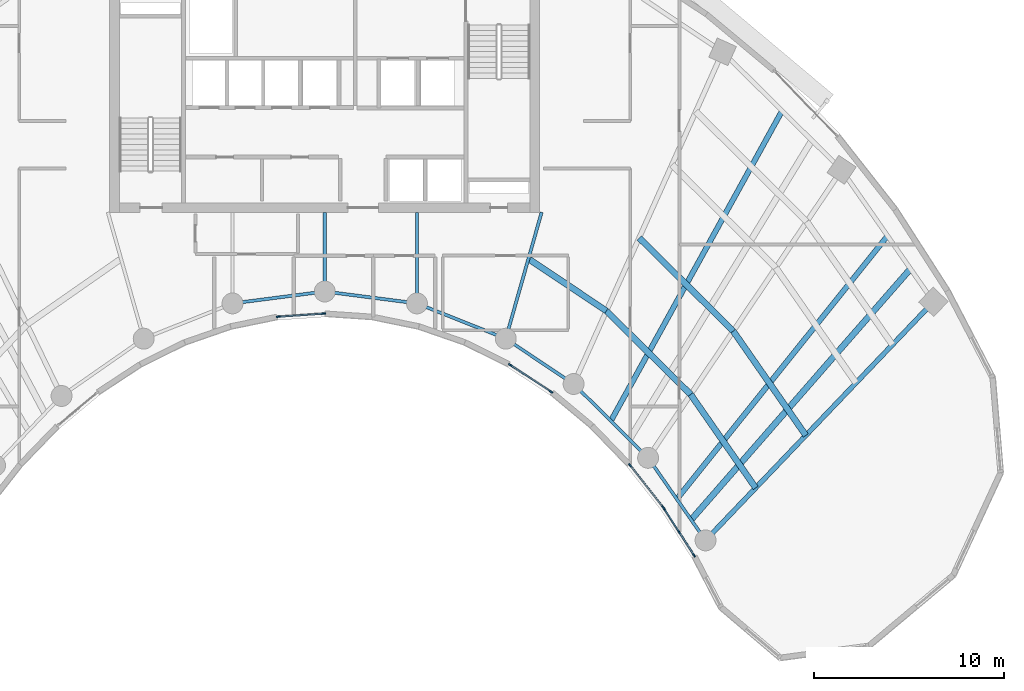
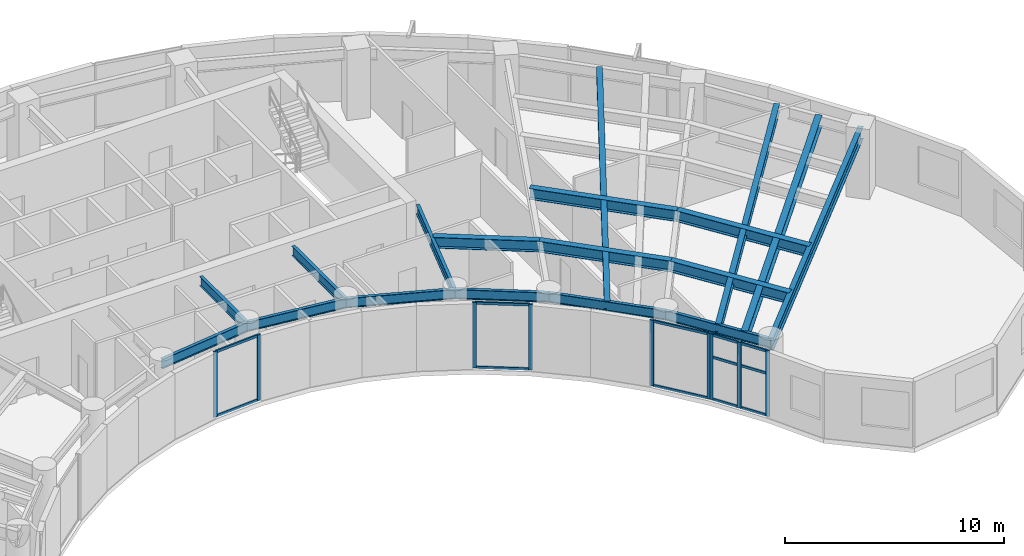
# One storey, part 3 of 12: 21 members, 18 beams, 4 elements without a shape of their own.
"""IFC4 building model written with IfcOpenShell, lengths in metres."""

from ifc_helpers import new_model, si_unit, direction, frame, origin, origin_2d, place, context, subcontext, project, spatial, rectangle, i_section, extrude, source, transform, mapped, material, layer, layer_set, material_profile, profile_set, type_object, type_shapes, element, aggregate, save


model = new_model("IFC4")

# Units and contexts
model_context = context("Model", 3, precision=1e-05, world=origin(), true_north=direction((0.0, 1.0)))
body_context = subcontext(model_context, "Body", "Model", "MODEL_VIEW")
ifc_project = project(units=[si_unit("LENGTHUNIT", "METRE"), si_unit("AREAUNIT", "SQUARE_METRE"), si_unit("VOLUMEUNIT", "CUBIC_METRE"), si_unit("PLANEANGLEUNIT", "RADIAN"), si_unit("MASSUNIT", "GRAM", prefix="KILO")], contexts=[model_context])

# Site, building, storey
site_placement = place(None, origin())
site = spatial("IfcSite", under=ifc_project, at=site_placement, CompositionType="ELEMENT")
building_placement = place(site_placement, origin())
building = spatial("IfcBuilding", under=site, at=building_placement, Name="Breltana Convention Tower", CompositionType="ELEMENT")
storey_placement = place(building_placement, frame((0.0, 0.0, 150.60009765625)))
storey = spatial("IfcBuildingStorey", under=building, at=storey_placement, Name="L36", CompositionType="ELEMENT", Elevation=150.60009765625)

# Beams
ifc_material_1 = material(Name="Steel ASTM A992 Grade 50", Category="steel")
ifc_material_profile_1 = material_profile(ifc_material_1, i_section(OverallWidth=0.25390625, OverallDepth=0.68798828125, WebThickness=0.01318359375, FlangeThickness=0.02099609375, at=origin_2d()), Name="W27X102")
ifc_profile_set_1 = profile_set([ifc_material_profile_1], Name="Steel ASTM A992 Grade 50")
beam_type_1 = type_object("IfcBeamType", Name="BM-RG-W27X102", PredefinedType="USERDEFINED", material=ifc_profile_set_1)
shared_shape_1 = source(origin(), body_context, "Body", "SweptSolid", [
    extrude(i_section(OverallWidth=0.25390625, OverallDepth=0.68798828125, WebThickness=0.01318359375, FlangeThickness=0.02099609375, at=origin_2d()), origin(), (0.0, 0.0, 1.0), 17.341064453125),
])
type_shapes(beam_type_1, [shared_shape_1])
beam_1_placement = place(storey_placement, frame((68.015380859375, 42.95458984375, 3.305908203125), z_axis=(0.690716462293, 0.723125693581, 0.0), x_axis=(-0.723125693581, 0.690716462293, 0.0)))
element("IfcBeam", 1, at=beam_1_placement, inside=storey, type_object=beam_type_1, Name="L36 Radial Floor Girder R11", ObjectType="GIRDER", PredefinedType="USERDEFINED", context=body_context, shape_type="MappedRepresentation", body=[
    mapped(shared_shape_1, transform((0.0, 0.0, 0.0), scale=1.0)),
])
ifc_material_profile_2 = material_profile(ifc_material_1, i_section(OverallWidth=0.166015625, OverallDepth=0.534912109375, WebThickness=0.01025390625, FlangeThickness=0.0166015625, at=origin_2d()), Name="W21X57")
ifc_profile_set_2 = profile_set([ifc_material_profile_2], Name="Steel ASTM A992 Grade 50")
beam_type_2 = type_object("IfcBeamType", Name="BM-BM-W21X57", PredefinedType="BEAM", material=ifc_profile_set_2)
shared_shape_2 = source(origin(), body_context, "Body", "SweptSolid", [
    extrude(i_section(OverallWidth=0.166015625, OverallDepth=0.534912109375, WebThickness=0.01025390625, FlangeThickness=0.0166015625, at=origin_2d()), origin(), (0.0, 0.0, 1.0), 6.904541015625),
])
type_shapes(beam_type_2, [shared_shape_2])
beam_2_placement = place(storey_placement, frame((59.39990234375, 60.199951171875, 3.38232421875), z_axis=(-0.273006781054, -0.962012108811, 0.0), x_axis=(0.962012108811, -0.273006781054, 0.0)))
element("IfcBeam", 2, at=beam_2_placement, inside=storey, type_object=beam_type_2, Name="L36 South Core Tie Girder R08", PredefinedType="BEAM", context=body_context, shape_type="MappedRepresentation", body=[
    mapped(shared_shape_2, transform((0.0, 0.0, 0.0), scale=1.0)),
])
shared_shape_3 = source(origin(), body_context, "Body", "SweptSolid", [
    extrude(i_section(OverallWidth=0.166015625, OverallDepth=0.534912109375, WebThickness=0.01025390625, FlangeThickness=0.0166015625, at=origin_2d()), origin(), (0.0, 0.0, 1.0), 4.789306640625),
])
beam_3_placement = place(storey_placement, frame((52.846435546875, 60.199951171875, 3.38232421875), z_axis=(0.0, -1.0, 0.0), x_axis=(1.0, 0.0, 0.0)))
element("IfcBeam", 3, at=beam_3_placement, inside=storey, type_object=beam_type_2, Name="L36 South Core Tie Girder R07", PredefinedType="BEAM", context=body_context, shape_type="MappedRepresentation", body=[
    mapped(shared_shape_3, transform((0.0, 0.0, 0.0), scale=1.0)),
])
shared_shape_4 = source(origin(), body_context, "Body", "SweptSolid", [
    extrude(i_section(OverallWidth=0.166015625, OverallDepth=0.534912109375, WebThickness=0.01025390625, FlangeThickness=0.0166015625, at=origin_2d()), origin(), (0.0, 0.0, 1.0), 4.1640625),
])
beam_4_placement = place(storey_placement, frame((48.0, 60.199951171875, 3.38232421875), z_axis=(0.0, -1.0, 0.0), x_axis=(1.0, 0.0, 0.0)))
element("IfcBeam", 4, at=beam_4_placement, inside=storey, type_object=beam_type_2, Name="L36 South Core Tie Girder R06", PredefinedType="BEAM", context=body_context, shape_type="MappedRepresentation", body=[
    mapped(shared_shape_4, transform((0.0, 0.0, 0.0), scale=1.0)),
])
shared_shape_5 = source(origin(), body_context, "Body", "SweptSolid", [
    extrude(i_section(OverallWidth=0.166015625, OverallDepth=0.534912109375, WebThickness=0.01025390625, FlangeThickness=0.0166015625, at=origin_2d()), origin(), (0.0, 0.0, 1.0), 5.022705078125),
])
beam_5_placement = place(storey_placement, frame((52.846435546875, 55.41064453125, 3.38232421875), z_axis=(0.929458966248, -0.368925507469, 0.0), x_axis=(0.368925507469, 0.929458966248, 0.0)))
element("IfcBeam", 5, at=beam_5_placement, inside=storey, type_object=beam_type_2, Name="L36 Inner Ring Beam 07", PredefinedType="BEAM", context=body_context, shape_type="MappedRepresentation", body=[
    mapped(shared_shape_5, transform((0.0, 0.0, 0.0), scale=1.0)),
])
shared_shape_6 = source(origin(), body_context, "Body", "SweptSolid", [
    extrude(i_section(OverallWidth=0.166015625, OverallDepth=0.534912109375, WebThickness=0.01025390625, FlangeThickness=0.0166015625, at=origin_2d()), origin(), (0.0, 0.0, 1.0), 4.88671875),
])
for number, where, z_axis, x_axis, name in (
    (6, (43.153564453125, 55.41064453125, 3.38232421875), (0.991780525565, 0.127950729231, 0.0), (-0.127950729231, 0.991780525565, 0.0), "L36 Inner Ring Beam 05"),
    (7, (48.0, 56.035888671875, 3.38232421875), (0.991780525565, -0.127950729231, 0.0), (0.127950729231, 0.991780525565, 0.0), "L36 Inner Ring Beam 06"),
):
    element("IfcBeam", number, at=place(storey_placement, frame(where, z_axis=z_axis, x_axis=x_axis)), inside=storey, type_object=beam_type_2, Name=name, PredefinedType="BEAM", context=body_context, shape_type="MappedRepresentation", body=[
        mapped(shared_shape_6, transform((0.0, 0.0, 0.0), scale=1.0)),
    ])
shared_shape_7 = source(origin(), body_context, "Body", "SweptSolid", [
    extrude(i_section(OverallWidth=0.166015625, OverallDepth=0.534912109375, WebThickness=0.01025390625, FlangeThickness=0.0166015625, at=origin_2d()), origin(), (0.0, 0.0, 1.0), 4.2900390625),
])
beam_6_placement = place(storey_placement, frame((57.514892578125, 53.5576171875, 3.38232421875), z_axis=(0.831515827753, -0.555501060482, 0.0), x_axis=(0.555501060482, 0.831515827753, 0.0)))
element("IfcBeam", 8, at=beam_6_placement, inside=storey, type_object=beam_type_2, Name="L36 Inner Ring Beam 08", PredefinedType="BEAM", context=body_context, shape_type="MappedRepresentation", body=[
    mapped(shared_shape_7, transform((0.0, 0.0, 0.0), scale=1.0)),
])
shared_shape_8 = source(origin(), body_context, "Body", "SweptSolid", [
    extrude(i_section(OverallWidth=0.166015625, OverallDepth=0.534912109375, WebThickness=0.01025390625, FlangeThickness=0.0166015625, at=origin_2d()), origin(), (0.0, 0.0, 1.0), 5.51171875),
])
beam_7_placement = place(storey_placement, frame((61.08203125, 51.174560546875, 3.38232421875), z_axis=(0.710090360749, -0.704110559196, 0.0), x_axis=(0.704110559196, 0.710090360749, 0.0)))
element("IfcBeam", 9, at=beam_7_placement, inside=storey, type_object=beam_type_2, Name="L36 Inner Ring Beam 09", PredefinedType="BEAM", context=body_context, shape_type="MappedRepresentation", body=[
    mapped(shared_shape_8, transform((0.0, 0.0, 0.0), scale=1.0)),
])
shared_shape_9 = source(origin(), body_context, "Body", "SweptSolid", [
    extrude(i_section(OverallWidth=0.166015625, OverallDepth=0.534912109375, WebThickness=0.01025390625, FlangeThickness=0.0166015625, at=origin_2d()), origin(), (0.0, 0.0, 1.0), 5.286376953125),
])
beam_8_placement = place(storey_placement, frame((64.995849609375, 47.293701171875, 3.38232421875), z_axis=(0.571194382458, -0.82081482531, 0.0), x_axis=(0.82081482531, 0.571194382458, 0.0)))
element("IfcBeam", 10, at=beam_8_placement, inside=storey, type_object=beam_type_2, Name="L36 Inner Ring Beam 10", PredefinedType="BEAM", context=body_context, shape_type="MappedRepresentation", body=[
    mapped(shared_shape_9, transform((0.0, 0.0, 0.0), scale=1.0)),
])
ifc_material_profile_3 = material_profile(ifc_material_1, i_section(OverallWidth=0.323974609375, OverallDepth=0.611083984375, WebThickness=0.0126953125, FlangeThickness=0.01904296875, at=origin_2d()), Name="W24X104")
ifc_profile_set_3 = profile_set([ifc_material_profile_3], Name="Steel ASTM A992 Grade 50")
beam_type_3 = type_object("IfcBeamType", Name="BM-JSG-01", PredefinedType="JOIST", material=ifc_profile_set_3)
shared_shape_10 = source(origin(), body_context, "Body", "SweptSolid", [
    extrude(i_section(OverallWidth=0.323974609375, OverallDepth=0.611083984375, WebThickness=0.0126953125, FlangeThickness=0.01904296875, at=origin_2d()), origin(), (0.0, 0.0, 1.0), 4.854736328125),
])
beam_9_placement = place(storey_placement, frame((58.767578125, 57.71240234375, 3.344482421875), z_axis=(0.831485074305, -0.555547091801, 0.0), x_axis=(0.555547091801, 0.831485074305, 0.0)))
element("IfcBeam", 11, at=beam_9_placement, inside=storey, type_object=beam_type_3, Name="L36 Composite Floor Joist 08.1", PredefinedType="JOIST", context=body_context, shape_type="MappedRepresentation", body=[
    mapped(shared_shape_10, transform((0.0, 0.0, 0.0), scale=1.0)),
])
shared_shape_11 = source(origin(), body_context, "Body", "SweptSolid", [
    extrude(i_section(OverallWidth=0.323974609375, OverallDepth=0.611083984375, WebThickness=0.0126953125, FlangeThickness=0.01904296875, at=origin_2d()), origin(), (0.0, 0.0, 1.0), 6.2373046875),
])
beam_10_placement = place(storey_placement, frame((62.80419921875, 55.015380859375, 3.344482421875), z_axis=(0.710114292485, -0.704086423394, 0.0), x_axis=(0.704086423394, 0.710114292485, 0.0)))
element("IfcBeam", 12, at=beam_10_placement, inside=storey, type_object=beam_type_3, Name="L36 Composite Floor Joist 09.1", PredefinedType="JOIST", context=body_context, shape_type="MappedRepresentation", body=[
    mapped(shared_shape_11, transform((0.0, 0.0, 0.0), scale=1.0)),
])
shared_shape_12 = source(origin(), body_context, "Body", "SweptSolid", [
    extrude(i_section(OverallWidth=0.323974609375, OverallDepth=0.611083984375, WebThickness=0.0126953125, FlangeThickness=0.01904296875, at=origin_2d()), origin(), (0.0, 0.0, 1.0), 6.963134765625),
])
beam_11_placement = place(storey_placement, frame((64.526611328125, 58.8564453125, 3.344482421875), z_axis=(0.71009817493, -0.704102678564, 0.0), x_axis=(0.704102678564, 0.71009817493, 0.0)))
element("IfcBeam", 13, at=beam_11_placement, inside=storey, type_object=beam_type_3, Name="L36 Composite Floor Joist 09.2", PredefinedType="JOIST", context=body_context, shape_type="MappedRepresentation", body=[
    mapped(shared_shape_12, transform((0.0, 0.0, 0.0), scale=1.0)),
])
ifc_material_profile_4 = material_profile(ifc_material_1, i_section(OverallWidth=0.280029296875, OverallDepth=0.462890625, WebThickness=0.0107421875, FlangeThickness=0.017333984375, at=origin_2d()), Name="W18X76")
ifc_profile_set_4 = profile_set([ifc_material_profile_4], Name="Steel ASTM A992 Grade 50")
beam_type_4 = type_object("IfcBeamType", Name="BM-JSG-06", PredefinedType="JOIST", material=ifc_profile_set_4)
shared_shape_13 = source(origin(), body_context, "Body", "SweptSolid", [
    extrude(i_section(OverallWidth=0.280029296875, OverallDepth=0.462890625, WebThickness=0.0107421875, FlangeThickness=0.017333984375, at=origin_2d()), origin(), (0.0, 0.0, 1.0), 18.617431640625),
])
beam_12_placement = place(storey_placement, frame((63.038818359375, 49.234130859375, 3.41845703125), z_axis=(0.483405602507, 0.875396495004, 0.0), x_axis=(-0.875396495004, 0.483405602507, 0.0)))
element("IfcBeam", 14, at=beam_12_placement, inside=storey, type_object=beam_type_4, Name="L36 Mid-Bay Radial Trimmer 09", PredefinedType="JOIST", context=body_context, shape_type="MappedRepresentation", body=[
    mapped(shared_shape_13, transform((0.0, 0.0, 0.0), scale=1.0)),
])
shared_shape_14 = source(origin(), body_context, "Body", "SweptSolid", [
    extrude(i_section(OverallWidth=0.323974609375, OverallDepth=0.611083984375, WebThickness=0.0126953125, FlangeThickness=0.01904296875, at=origin_2d()), origin(), (0.0, 0.0, 1.0), 5.982421875),
])
beam_13_placement = place(storey_placement, frame((67.2333984375, 50.623779296875, 3.344482421875), z_axis=(0.571211549446, -0.82080287876, 0.0), x_axis=(0.82080287876, 0.571211549446, 0.0)))
element("IfcBeam", 15, at=beam_13_placement, inside=storey, type_object=beam_type_3, Name="L36 Composite Floor Joist 10.1", PredefinedType="JOIST", context=body_context, shape_type="MappedRepresentation", body=[
    mapped(shared_shape_14, transform((0.0, 0.0, 0.0), scale=1.0)),
])
shared_shape_15 = source(origin(), body_context, "Body", "SweptSolid", [
    extrude(i_section(OverallWidth=0.323974609375, OverallDepth=0.611083984375, WebThickness=0.0126953125, FlangeThickness=0.01904296875, at=origin_2d()), origin(), (0.0, 0.0, 1.0), 6.677978515625),
])
beam_14_placement = place(storey_placement, frame((69.47119140625, 53.95361328125, 3.344482421875), z_axis=(0.571193018768, -0.820815774282, 0.0), x_axis=(0.820815774282, 0.571193018768, 0.0)))
element("IfcBeam", 16, at=beam_14_placement, inside=storey, type_object=beam_type_3, Name="L36 Composite Floor Joist 10.2", PredefinedType="JOIST", context=body_context, shape_type="MappedRepresentation", body=[
    mapped(shared_shape_15, transform((0.0, 0.0, 0.0), scale=1.0)),
])
shared_shape_16 = source(origin(), body_context, "Body", "SweptSolid", [
    extrude(i_section(OverallWidth=0.280029296875, OverallDepth=0.462890625, WebThickness=0.0107421875, FlangeThickness=0.017333984375, at=origin_2d()), origin(), (0.0, 0.0, 1.0), 17.7236328125),
])
beam_15_placement = place(storey_placement, frame((66.505615234375, 45.124267578125, 3.41845703125), z_axis=(0.624829427563, 0.78076128647, 0.0), x_axis=(-0.78076128647, 0.624829427563, 0.0)))
element("IfcBeam", 17, at=beam_15_placement, inside=storey, type_object=beam_type_4, Name="L36 Mid-Bay Radial Trimmer 10", PredefinedType="JOIST", context=body_context, shape_type="MappedRepresentation", body=[
    mapped(shared_shape_16, transform((0.0, 0.0, 0.0), scale=1.0)),
])
shared_shape_17 = source(origin(), body_context, "Body", "SweptSolid", [
    extrude(i_section(OverallWidth=0.323974609375, OverallDepth=0.611083984375, WebThickness=0.0126953125, FlangeThickness=0.01904296875, at=origin_2d()), origin(), (0.0, 0.0, 1.0), 17.515625),
])
beam_16_placement = place(storey_placement, frame((67.260498046875, 44.03955078125, 3.344482421875), z_axis=(0.658051548324, 0.752972881151, 0.0), x_axis=(-0.752972881151, 0.658051548324, 0.0)))
element("IfcBeam", 18, at=beam_16_placement, inside=storey, type_object=beam_type_3, Name="L36 Quarter-Bay Radial Trimmer 10", PredefinedType="JOIST", context=body_context, shape_type="MappedRepresentation", body=[
    mapped(shared_shape_17, transform((0.0, 0.0, 0.0), scale=1.0)),
])

# Curtain wall, members
ifc_material_2 = material(Name="Aluminium Anodised Bronze Frame", Category="aluminium")
ifc_layer = layer(ifc_material_2, 0.18994140625, Name="Aluminium Anodised Bronze Frame")
ifc_layer_set = layer_set([ifc_layer], Name="Aluminium Anodised Bronze Frame")
curtain_wall_type = type_object("IfcCurtainWallType", Name="CW-SYS-1", PredefinedType="NOTDEFINED", material=ifc_layer_set)
curtain_wall_1_placement = place(storey_placement, origin())
curtain_wall_1 = element("IfcCurtainWall", 19, at=curtain_wall_1_placement, inside=storey, type_object=curtain_wall_type, Name="L36 inner south-court glazing 1", PredefinedType="NOTDEFINED")
ifc_material_3 = material(Name="Aluminium Anodised Bronze", Category="aluminium")
ifc_material_profile_5 = material_profile(ifc_material_3, rectangle(XDim=0.080078125, YDim=0.199951171875, at=origin_2d()), Name="CWM-80X200")
ifc_profile_set_5 = profile_set([ifc_material_profile_5], Name="Aluminium Anodised Bronze")
member_type_1 = type_object("IfcMemberType", Name="CWM-200", PredefinedType="MULLION", material=ifc_profile_set_5)
shared_shape_18 = source(origin(), body_context, "Body", "SweptSolid", [
    extrude(rectangle(XDim=0.080078125, YDim=0.199951171875, at=origin_2d()), origin(), (0.0, 0.0, 1.0), 3.64990234375),
])
member_1_placement = place(storey_placement, frame((67.40966796875, 42.17041015625, 0.0), z_axis=(0.0, 0.0, 1.0), x_axis=(-0.841546744491, -0.540184298954, 0.0)))
member_1 = element("IfcMember", 20, at=member_1_placement, type_object=member_type_1, Name="CW-01 mullion 1", PredefinedType="MULLION", context=body_context, shape_type="MappedRepresentation", body=[
    mapped(shared_shape_18, transform((0.0, 0.0, 0.0), scale=1.0)),
])
member_2_placement = place(storey_placement, frame((66.626220703125, 43.390869140625, 0.0), z_axis=(0.0, 0.0, 1.0), x_axis=(-0.841546744491, -0.540184298954, 0.0)))
member_2 = element("IfcMember", 21, at=member_2_placement, type_object=member_type_1, Name="CW-01 mullion 2", PredefinedType="MULLION", context=body_context, shape_type="MappedRepresentation", body=[
    mapped(shared_shape_18, transform((0.0, 0.0, 0.0), scale=1.0)),
])
member_3_placement = place(storey_placement, frame((65.843017578125, 44.611328125, 0.0), z_axis=(0.0, 0.0, 1.0), x_axis=(-0.841546744491, -0.540184298954, 0.0)))
member_3 = element("IfcMember", 22, at=member_3_placement, type_object=member_type_1, Name="CW-01 mullion 3", PredefinedType="MULLION", context=body_context, shape_type="MappedRepresentation", body=[
    mapped(shared_shape_18, transform((0.0, 0.0, 0.0), scale=1.0)),
])

curtain_wall_2_placement = place(storey_placement, origin())
curtain_wall_2 = element("IfcCurtainWall", 23, at=curtain_wall_2_placement, inside=storey, type_object=curtain_wall_type, Name="L36 inner south-court glazing 2", PredefinedType="NOTDEFINED")
member_4_placement = place(storey_placement, frame((65.78662109375, 44.6904296875, 0.0), z_axis=(0.0, 0.0, 1.0), x_axis=(-0.786051168431, -0.618161435717, 0.0)))
member_4 = element("IfcMember", 24, at=member_4_placement, type_object=member_type_1, Name="CW-01 mullion 1", PredefinedType="MULLION", context=body_context, shape_type="MappedRepresentation", body=[
    mapped(shared_shape_18, transform((0.0, 0.0, 0.0), scale=1.0)),
])
member_5_placement = place(storey_placement, frame((64.045166015625, 46.905029296875, 0.0), z_axis=(0.0, 0.0, 1.0), x_axis=(-0.786051168431, -0.618161435717, 0.0)))
member_5 = element("IfcMember", 25, at=member_5_placement, type_object=member_type_1, Name="CW-01 mullion 2", PredefinedType="MULLION", context=body_context, shape_type="MappedRepresentation", body=[
    mapped(shared_shape_18, transform((0.0, 0.0, 0.0), scale=1.0)),
])

curtain_wall_3_placement = place(storey_placement, origin())
curtain_wall_3 = element("IfcCurtainWall", 26, at=curtain_wall_3_placement, inside=storey, type_object=curtain_wall_type, Name="L36 inner south-court glazing 3", PredefinedType="NOTDEFINED")
member_6_placement = place(storey_placement, frame((59.894775390625, 50.76904296875, 0.0), z_axis=(0.0, 0.0, 1.0), x_axis=(-0.548751973252, -0.835985210307, 0.0)))
member_6 = element("IfcMember", 27, at=member_6_placement, type_object=member_type_1, Name="CW-01 mullion 1", PredefinedType="MULLION", context=body_context, shape_type="MappedRepresentation", body=[
    mapped(shared_shape_18, transform((0.0, 0.0, 0.0), scale=1.0)),
])
member_7_placement = place(storey_placement, frame((57.744384765625, 52.1806640625, 0.0), z_axis=(0.0, 0.0, 1.0), x_axis=(-0.548751973252, -0.835985210307, 0.0)))
member_7 = element("IfcMember", 28, at=member_7_placement, type_object=member_type_1, Name="CW-01 mullion 2", PredefinedType="MULLION", context=body_context, shape_type="MappedRepresentation", body=[
    mapped(shared_shape_18, transform((0.0, 0.0, 0.0), scale=1.0)),
])

curtain_wall_4_placement = place(storey_placement, origin())
curtain_wall_4 = element("IfcCurtainWall", 29, at=curtain_wall_4_placement, inside=storey, type_object=curtain_wall_type, Name="L36 inner south-court glazing 4", PredefinedType="NOTDEFINED")
member_8_placement = place(storey_placement, frame((47.947998046875, 54.872802734375, 0.0), z_axis=(0.0, 0.0, 1.0), x_axis=(0.067732810965, -0.997703496195, 0.0)))
member_8 = element("IfcMember", 30, at=member_8_placement, type_object=member_type_1, Name="CW-01 mullion 1", PredefinedType="MULLION", context=body_context, shape_type="MappedRepresentation", body=[
    mapped(shared_shape_18, transform((0.0, 0.0, 0.0), scale=1.0)),
])
member_9_placement = place(storey_placement, frame((45.56201171875, 54.7109375, 0.0), z_axis=(0.0, 0.0, 1.0), x_axis=(0.067732810965, -0.997703496195, 0.0)))
member_9 = element("IfcMember", 31, at=member_9_placement, type_object=member_type_1, Name="CW-01 mullion 2", PredefinedType="MULLION", context=body_context, shape_type="MappedRepresentation", body=[
    mapped(shared_shape_18, transform((0.0, 0.0, 0.0), scale=1.0)),
])

# Member
ifc_material_profile_6 = material_profile(ifc_material_3, rectangle(XDim=0.080078125, YDim=0.139892578125, at=origin_2d()), Name="CWT-80X140")
ifc_profile_set_6 = profile_set([ifc_material_profile_6], Name="Aluminium Anodised Bronze")
member_type_2 = type_object("IfcMemberType", Name="CWT-140", PredefinedType="USERDEFINED", material=ifc_profile_set_6)
shared_shape_19 = source(origin(), body_context, "Body", "SweptSolid", [
    extrude(rectangle(XDim=0.080078125, YDim=0.139892578125, at=origin_2d()), origin(), (0.0, 0.0, 1.0), 1.3701171875),
])
member_10_placement = place(storey_placement, frame((67.38818359375, 42.2041015625, 0.039794921875), z_axis=(-0.540226175019, 0.841519863, 0.0), x_axis=(-0.841519863, -0.540226175019, 0.0)))
member_10 = element("IfcMember", 32, at=member_10_placement, type_object=member_type_2, Name="CW-01 transom 1.1", ObjectType="TRANSOM", PredefinedType="USERDEFINED", context=body_context, shape_type="MappedRepresentation", body=[
    mapped(shared_shape_19, transform((0.0, 0.0, 0.0), scale=1.0)),
])

member_11_placement = place(storey_placement, frame((67.38818359375, 42.2041015625, 2.372314453125), z_axis=(-0.540226175019, 0.841519863, 0.0), x_axis=(-0.841519863, -0.540226175019, 0.0)))
member_11 = element("IfcMember", 33, at=member_11_placement, type_object=member_type_2, Name="CW-01 transom 1.2", ObjectType="TRANSOM", PredefinedType="USERDEFINED", context=body_context, shape_type="MappedRepresentation", body=[
    mapped(shared_shape_19, transform((0.0, 0.0, 0.0), scale=1.0)),
])

member_12_placement = place(storey_placement, frame((67.38818359375, 42.2041015625, 3.60986328125), z_axis=(-0.540226175019, 0.841519863, 0.0), x_axis=(-0.841519863, -0.540226175019, 0.0)))
member_12 = element("IfcMember", 34, at=member_12_placement, type_object=member_type_2, Name="CW-01 transom 1.3", ObjectType="TRANSOM", PredefinedType="USERDEFINED", context=body_context, shape_type="MappedRepresentation", body=[
    mapped(shared_shape_19, transform((0.0, 0.0, 0.0), scale=1.0)),
])

member_13_placement = place(storey_placement, frame((66.604736328125, 43.424560546875, 0.039794921875), z_axis=(-0.540226175019, 0.841519863, 0.0), x_axis=(-0.841519863, -0.540226175019, 0.0)))
member_13 = element("IfcMember", 35, at=member_13_placement, type_object=member_type_2, Name="CW-01 transom 2.1", ObjectType="TRANSOM", PredefinedType="USERDEFINED", context=body_context, shape_type="MappedRepresentation", body=[
    mapped(shared_shape_19, transform((0.0, 0.0, 0.0), scale=1.0)),
])

member_14_placement = place(storey_placement, frame((66.604736328125, 43.424560546875, 2.372314453125), z_axis=(-0.540226175019, 0.841519863, 0.0), x_axis=(-0.841519863, -0.540226175019, 0.0)))
member_14 = element("IfcMember", 36, at=member_14_placement, type_object=member_type_2, Name="CW-01 transom 2.2", ObjectType="TRANSOM", PredefinedType="USERDEFINED", context=body_context, shape_type="MappedRepresentation", body=[
    mapped(shared_shape_19, transform((0.0, 0.0, 0.0), scale=1.0)),
])

member_15_placement = place(storey_placement, frame((66.604736328125, 43.424560546875, 3.60986328125), z_axis=(-0.540226175019, 0.841519863, 0.0), x_axis=(-0.841519863, -0.540226175019, 0.0)))
member_15 = element("IfcMember", 37, at=member_15_placement, type_object=member_type_2, Name="CW-01 transom 2.3", ObjectType="TRANSOM", PredefinedType="USERDEFINED", context=body_context, shape_type="MappedRepresentation", body=[
    mapped(shared_shape_19, transform((0.0, 0.0, 0.0), scale=1.0)),
])

aggregate(curtain_wall_1, [member_1, member_2, member_3, member_10, member_11, member_12, member_13, member_14, member_15])

shared_shape_20 = source(origin(), body_context, "Body", "SweptSolid", [
    extrude(rectangle(XDim=0.080078125, YDim=0.139892578125, at=origin_2d()), origin(), (0.0, 0.0, 1.0), 2.7373046875),
])
member_16_placement = place(storey_placement, frame((65.761962890625, 44.721923828125, 0.039794921875), z_axis=(-0.618179938224, 0.786036617453, 0.0), x_axis=(-0.786036617453, -0.618179938224, 0.0)))
member_16 = element("IfcMember", 38, at=member_16_placement, type_object=member_type_2, Name="CW-01 transom 1.1", ObjectType="TRANSOM", PredefinedType="USERDEFINED", context=body_context, shape_type="MappedRepresentation", body=[
    mapped(shared_shape_20, transform((0.0, 0.0, 0.0), scale=1.0)),
])

member_17_placement = place(storey_placement, frame((65.761962890625, 44.721923828125, 3.60986328125), z_axis=(-0.618179938224, 0.786036617453, 0.0), x_axis=(-0.786036617453, -0.618179938224, 0.0)))
member_17 = element("IfcMember", 39, at=member_17_placement, type_object=member_type_2, Name="CW-01 transom 1.2", ObjectType="TRANSOM", PredefinedType="USERDEFINED", context=body_context, shape_type="MappedRepresentation", body=[
    mapped(shared_shape_20, transform((0.0, 0.0, 0.0), scale=1.0)),
])

aggregate(curtain_wall_2, [member_4, member_5, member_16, member_17])

shared_shape_21 = source(origin(), body_context, "Body", "SweptSolid", [
    extrude(rectangle(XDim=0.080078125, YDim=0.139892578125, at=origin_2d()), origin(), (0.0, 0.0, 1.0), 2.4921875),
])
member_18_placement = place(storey_placement, frame((59.861328125, 50.791015625, 0.039794921875), z_axis=(-0.83597769484, 0.548763422369, 0.0), x_axis=(-0.548763422369, -0.83597769484, 0.0)))
member_18 = element("IfcMember", 40, at=member_18_placement, type_object=member_type_2, Name="CW-01 transom 1.1", ObjectType="TRANSOM", PredefinedType="USERDEFINED", context=body_context, shape_type="MappedRepresentation", body=[
    mapped(shared_shape_21, transform((0.0, 0.0, 0.0), scale=1.0)),
])

member_19_placement = place(storey_placement, frame((59.861328125, 50.791015625, 3.60986328125), z_axis=(-0.83597769484, 0.548763422369, 0.0), x_axis=(-0.548763422369, -0.83597769484, 0.0)))
member_19 = element("IfcMember", 41, at=member_19_placement, type_object=member_type_2, Name="CW-01 transom 1.2", ObjectType="TRANSOM", PredefinedType="USERDEFINED", context=body_context, shape_type="MappedRepresentation", body=[
    mapped(shared_shape_21, transform((0.0, 0.0, 0.0), scale=1.0)),
])

aggregate(curtain_wall_3, [member_6, member_7, member_18, member_19])

shared_shape_22 = source(origin(), body_context, "Body", "SweptSolid", [
    extrude(rectangle(XDim=0.080078125, YDim=0.139892578125, at=origin_2d()), origin(), (0.0, 0.0, 1.0), 2.3115234375),
])
member_20_placement = place(storey_placement, frame((47.907958984375, 54.8701171875, 0.039794921875), z_axis=(-0.997705471663, -0.067703706049, 0.0), x_axis=(0.067703706049, -0.997705471663, 0.0)))
member_20 = element("IfcMember", 42, at=member_20_placement, type_object=member_type_2, Name="CW-01 transom 1.1", ObjectType="TRANSOM", PredefinedType="USERDEFINED", context=body_context, shape_type="MappedRepresentation", body=[
    mapped(shared_shape_22, transform((0.0, 0.0, 0.0), scale=1.0)),
])

member_21_placement = place(storey_placement, frame((47.907958984375, 54.8701171875, 3.60986328125), z_axis=(-0.997705471663, -0.067703706049, 0.0), x_axis=(0.067703706049, -0.997705471663, 0.0)))
member_21 = element("IfcMember", 43, at=member_21_placement, type_object=member_type_2, Name="CW-01 transom 1.2", ObjectType="TRANSOM", PredefinedType="USERDEFINED", context=body_context, shape_type="MappedRepresentation", body=[
    mapped(shared_shape_22, transform((0.0, 0.0, 0.0), scale=1.0)),
])

aggregate(curtain_wall_4, [member_8, member_9, member_20, member_21])

save(model, "model.ifc")
